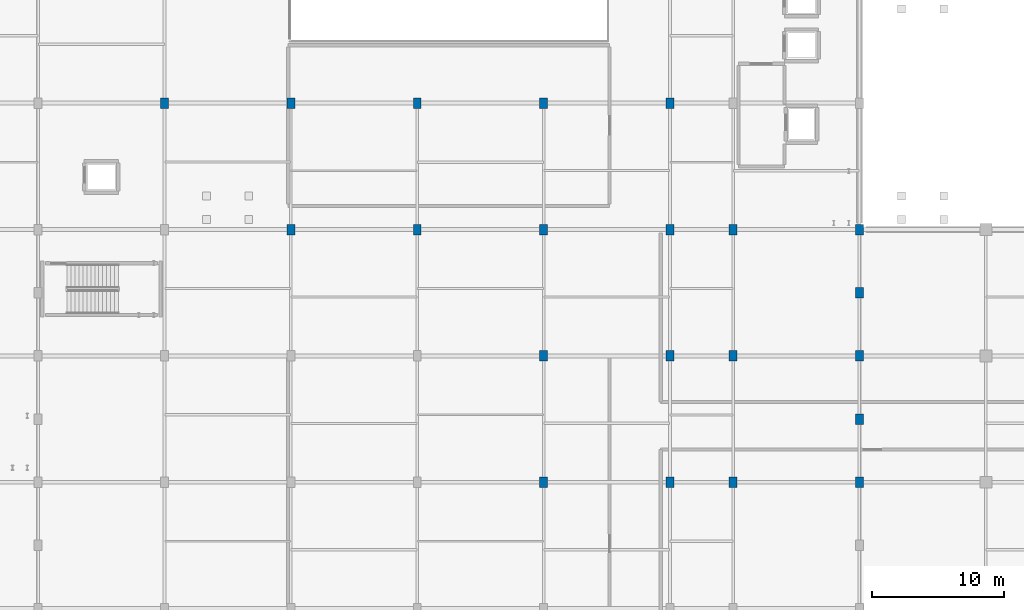
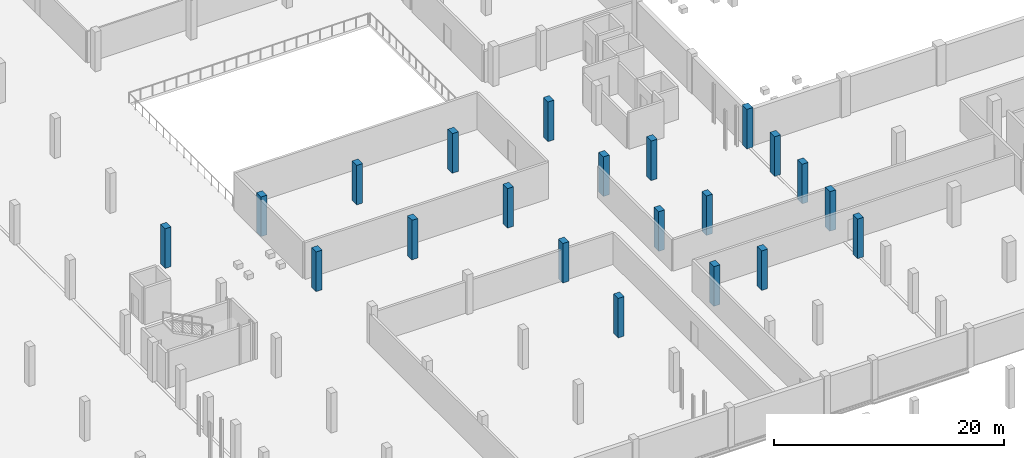
# One storey, part 8 of 47: 21 columns.
"""IFC4 building model written with IfcOpenShell, lengths in metres."""

import ifcopenshell
import ifcopenshell.guid

model = None  # the IFC model being written
_history = None  # IfcOwnerHistory: only IFC2X3 demands one
_inside = {}  # id of a spatial element -> (the spatial element, [elements in it])
_under = {}  # id of a project, library or spatial element -> (it, [spatial elements below it])
_declared = {}  # id of a project -> (the project, [libraries it declares])
_typed = {}  # id of a type object -> (the type object, [elements of that type])
_made_of = {}  # id of a material, layer set ... -> (it, [elements and type objects made of it])


def new_model(schema):
    """Start an empty IFC model of exactly this schema.

    Asked for "IFC4X3", IfcOpenShell would pick the latest addendum, in which some entities
    have other attributes; the version numbers below select the first issue.
    IFC2X3 requires an IfcOwnerHistory on every rooted entity: one is made here for all.
    """
    global model, _history
    if schema == "IFC4X3":
        model = ifcopenshell.file(schema_version=(4, 3, 0, 0))
    else:
        model = ifcopenshell.file(schema=schema)
    _inside.clear()
    _under.clear()
    _declared.clear()
    _typed.clear()
    _made_of.clear()
    _history = None
    if model.schema == "IFC2X3":
        org = make("IfcOrganization", Name="unknown")
        user = make(
            "IfcPersonAndOrganization",
            ThePerson=make("IfcPerson", FamilyName="unknown"),
            TheOrganization=org,
        )
        app = make(
            "IfcApplication",
            ApplicationDeveloper=org,
            Version="unknown",
            ApplicationFullName="unknown",
            ApplicationIdentifier="unknown",
        )
        _history = make(
            "IfcOwnerHistory",
            OwningUser=user,
            OwningApplication=app,
            ChangeAction="ADDED",
            CreationDate=0,
        )
    return model


def make(cls, **values):
    """One entity of the class cls with the attributes given. An attribute that is None is left unset."""
    return model.create_entity(
        cls, **{name: value for name, value in values.items() if value is not None}
    )


def rooted(cls, **values):
    """An entity with a GlobalId (a new one), such as an element, a storey or a relation."""
    return make(cls, GlobalId=ifcopenshell.guid.new(), OwnerHistory=_history, **values)


def si_unit(unit_type, name, prefix=None):
    """IfcSIUnit, for example si_unit("LENGTHUNIT", "METRE", prefix="MILLI")."""
    return make("IfcSIUnit", UnitType=unit_type, Prefix=prefix, Name=name)


def assignment(units):
    """IfcUnitAssignment: the units of a project."""
    return None if units is None else make("IfcUnitAssignment", Units=units)


def point(xyz):
    """IfcCartesianPoint."""
    return None if xyz is None else make("IfcCartesianPoint", Coordinates=xyz)


def direction(xyz):
    """IfcDirection."""
    return None if xyz is None else make("IfcDirection", DirectionRatios=xyz)


def frame(location, z_axis=None, x_axis=None):
    """IfcAxis2Placement3D, a coordinate frame: its origin and axes. An axis left out is left unset."""
    return make(
        "IfcAxis2Placement3D",
        Location=point(location),
        Axis=direction(z_axis),
        RefDirection=direction(x_axis),
    )


def frame_2d(location, x_axis=None):
    """IfcAxis2Placement2D, a coordinate frame in the plane: its origin and x axis."""
    return make(
        "IfcAxis2Placement2D", Location=point(location), RefDirection=direction(x_axis)
    )


def origin():
    """The frame at (0, 0, 0) with its axes left unset."""
    return frame((0.0, 0.0, 0.0))


def origin_2d():
    """The frame at (0, 0) in the plane with its x axis left unset."""
    return frame_2d((0.0, 0.0))


def place(relative_to, where):
    """IfcLocalPlacement: puts the frame where relative to a parent placement (None: the world)."""
    return make(
        "IfcLocalPlacement", PlacementRelTo=relative_to, RelativePlacement=where
    )


def context(
    kind, dimensions, precision=None, world=None, true_north=None, identifier=None
):
    """IfcGeometricRepresentationContext, for example the 3D "Model" context."""
    return make(
        "IfcGeometricRepresentationContext",
        ContextIdentifier=identifier,
        ContextType=kind,
        CoordinateSpaceDimension=dimensions,
        Precision=precision,
        WorldCoordinateSystem=world,
        TrueNorth=true_north,
    )


def subcontext(parent, identifier, kind, view, scale=None):
    """IfcGeometricRepresentationSubContext, for example "Body" below "Model"."""
    return make(
        "IfcGeometricRepresentationSubContext",
        ContextIdentifier=identifier,
        ContextType=kind,
        ParentContext=parent,
        TargetScale=scale,
        TargetView=view,
    )


def project(units=None, contexts=None):
    """IfcProject with its units and contexts."""
    return rooted(
        "IfcProject",
        Name="project",
        RepresentationContexts=contexts,
        UnitsInContext=assignment(units),
    )


def spatial(cls, under=None, at=None, **own):
    """A site, building, storey or space (cls), placed at a placement, below another one or the project."""
    s = rooted(cls, ObjectPlacement=at, **own)
    if under is not None:
        _under.setdefault(under.id(), (under, []))[1].append(s)
    return s


def profile(cls, at=None, kind="AREA", **sizes):
    """A parametric profile (cls). Its sizes go by their IFC names, for example OverallWidth=200.0."""
    return make(cls, ProfileType=kind, Position=at, **sizes)


def rectangle(**sizes):
    """IfcRectangleProfileDef."""
    return profile("IfcRectangleProfileDef", **sizes)


def extrude(swept, where, along, depth):
    """IfcExtrudedAreaSolid: the profile swept, set in the frame where, extruded along a direction by depth."""
    return make(
        "IfcExtrudedAreaSolid",
        SweptArea=swept,
        Position=where,
        ExtrudedDirection=direction(along),
        Depth=depth,
    )


def shape(context_of_items, identifier, shape_type, items):
    """IfcShapeRepresentation: the items that make up one representation, for example the "Body"."""
    return make(
        "IfcShapeRepresentation",
        ContextOfItems=context_of_items,
        RepresentationIdentifier=identifier,
        RepresentationType=shape_type,
        Items=items,
    )


def material(Name=None, Category=None):
    """IfcMaterial."""
    return make("IfcMaterial", Name=Name, Category=Category)


def material_profile(
    of_material, cross_section, Name=None, Category=None, Priority=None
):
    """IfcMaterialProfile: a cross section and its material."""
    return make(
        "IfcMaterialProfile",
        Name=Name,
        Material=of_material,
        Profile=cross_section,
        Priority=Priority,
        Category=Category,
    )


def profile_set(profiles, Name=None, composite=None):
    """IfcMaterialProfileSet."""
    return make(
        "IfcMaterialProfileSet",
        Name=Name,
        MaterialProfiles=profiles,
        CompositeProfile=composite,
    )


def made_of(thing, what):
    """Note that an element or type object is made of a material, layer set ...; save() writes the relation."""
    if what is not None:
        _made_of.setdefault(what.id(), (what, []))[1].append(thing)
    return thing


def type_object(cls, material=None, **own):
    """A type object (cls), such as IfcWallType, which elements share."""
    return made_of(rooted(cls, **own), material)


def element(
    cls,
    number,
    at=None,
    inside=None,
    cuts=None,
    type_object=None,
    material=None,
    context=None,
    identifier="Body",
    shape_type=None,
    held_by="IfcProductDefinitionShape",
    body=None,
    shapes=None,
    **own,
):
    """One element of the class cls, such as IfcWall. Its Tag is "e" and its number.

    at: its placement. inside: the storey or other place that contains it. cuts: it is an
    opening in that element (IfcRelVoidsElement). A single representation is given by context,
    identifier, shape_type and body (its items); several are given by shapes. held_by: the class
    of the entity that holds the representations. save() writes the other relations.
    """
    e = rooted(cls, Tag="e%d" % number, ObjectPlacement=at, **own)
    if body is not None:
        shapes = [shape(context, identifier, shape_type, body)]
    if shapes is not None:
        e.Representation = make(held_by, Representations=shapes)
    if inside is not None:
        _inside.setdefault(inside.id(), (inside, []))[1].append(e)
    if cuts is not None:
        rooted(
            "IfcRelVoidsElement", RelatingBuildingElement=cuts, RelatedOpeningElement=e
        )
    if type_object is not None:
        _typed.setdefault(type_object.id(), (type_object, []))[1].append(e)
    return made_of(e, material)


def aggregate(whole, parts):
    """IfcRelAggregates: a whole, such as a stair, and the parts it consists of."""
    return rooted("IfcRelAggregates", RelatingObject=whole, RelatedObjects=parts)


def save(model, path):
    """Write the relations noted so far, then the file.

    IfcRelAggregates (storeys below a building ...), IfcRelContainedInSpatialStructure (elements
    in a storey), IfcRelDefinesByType, IfcRelAssociatesMaterial and IfcRelDeclares: one each for
    every whole, place, type object, material and project.
    """
    for whole, parts in _under.values():
        aggregate(whole, parts)
    for where, things in _inside.values():
        rooted(
            "IfcRelContainedInSpatialStructure",
            RelatedElements=things,
            RelatingStructure=where,
        )
    for kind, things in _typed.values():
        rooted("IfcRelDefinesByType", RelatedObjects=things, RelatingType=kind)
    for what, things in _made_of.values():
        rooted("IfcRelAssociatesMaterial", RelatedObjects=things, RelatingMaterial=what)
    for by, libraries in _declared.values():
        rooted("IfcRelDeclares", RelatingContext=by, RelatedDefinitions=libraries)
    model.write(path)


model = new_model("IFC4")

# Units and contexts
model_context = context("Model", 3, precision=1e-05, world=origin(), true_north=direction((0.0, 1.0)))
body_context = subcontext(model_context, "Body", "Model", "MODEL_VIEW")
ifc_project = project(units=[si_unit("LENGTHUNIT", "METRE"), si_unit("AREAUNIT", "SQUARE_METRE"), si_unit("VOLUMEUNIT", "CUBIC_METRE"), si_unit("PLANEANGLEUNIT", "RADIAN"), si_unit("MASSUNIT", "GRAM", prefix="KILO")], contexts=[model_context])

# Site, building, storey
site_placement = place(None, origin())
site = spatial("IfcSite", under=ifc_project, at=site_placement, CompositionType="ELEMENT")
building_placement = place(site_placement, origin())
building = spatial("IfcBuilding", under=site, at=building_placement, Name="Zevrakil Square Congress Hotel", CompositionType="ELEMENT")
storey_placement = place(building_placement, frame((0.0, 0.0, -4.199951171875)))
storey = spatial("IfcBuildingStorey", under=building, at=storey_placement, Name="B1", CompositionType="ELEMENT", Elevation=-4.199951171875)

# Columns
ifc_material = material(Name="Concrete C40/50", Category="concrete")
ifc_material_profile = material_profile(ifc_material, rectangle(XDim=0.60009765625, YDim=0.800048828125, at=origin_2d()), Name="RC 600x800")
ifc_profile_set = profile_set([ifc_material_profile], Name="Concrete C40/50")
column_type = type_object("IfcColumnType", Name="COL-RC600x800", PredefinedType="COLUMN", material=ifc_profile_set)
for number, where, z_axis, x_axis, name in (
    (1, (64.800048828125, 55.199951171875, 0.0), (0.0, 0.0, 1.0), (1.0, 0.0, 0.0), "B1 column C-105"),
    (2, (74.39990234375, 45.60009765625, 0.0), (0.0, 0.0, 1.0), (1.0, 0.0, 0.0), "B1 column C-118"),
    (3, (74.39990234375, 55.199951171875, 0.0), (0.0, 0.0, 1.0), (1.0, 0.0, 0.0), "B1 column C-119"),
    (4, (84.0, 45.60009765625, 0.0), (0.0, 0.0, 1.0), (1.0, 0.0, 0.0), "B1 column C-130"),
    (5, (84.0, 55.199951171875, 0.0), (0.0, 0.0, 1.0), (1.0, 0.0, 0.0), "B1 column C-131"),
    (6, (93.60009765625, 26.39990234375, 0.0), (0.0, 0.0, 1.0), (1.0, 0.0, 0.0), "B1 column C-140"),
    (7, (93.60009765625, 36.0, 0.0), (0.0, 0.0, 1.0), (1.0, 0.0, 0.0), "B1 column C-141"),
    (8, (93.60009765625, 45.60009765625, 0.0), (0.0, 0.0, 1.0), (1.0, 0.0, 0.0), "B1 column C-142"),
    (9, (93.60009765625, 55.199951171875, 0.0), (0.0, 0.0, 1.0), (1.0, 0.0, 0.0), "B1 column C-143"),
    (10, (103.199951171875, 26.39990234375, 0.0), (0.0, 0.0, 1.0), (1.0, 0.0, 0.0), "B1 column C-152"),
    (11, (103.199951171875, 36.0, 0.0), (0.0, 0.0, 1.0), (1.0, 0.0, 0.0), "B1 column C-153"),
    (12, (103.199951171875, 45.60009765625, 0.0), (0.0, 0.0, 1.0), (1.0, 0.0, 0.0), "B1 column C-154"),
    (13, (103.199951171875, 55.199951171875, 0.0), (0.0, 0.0, 1.0), (1.0, 0.0, 0.0), "B1 column C-155"),
    (14, (108.0, 26.39990234375, 0.0), (0.0, 0.0, 1.0), (1.0, 0.0, 0.0), "B1 column C-166"),
    (15, (108.0, 36.0, 0.0), (0.0, 0.0, 1.0), (1.0, 0.0, 0.0), "B1 column C-167"),
    (16, (108.0, 45.60009765625, 0.0), (0.0, 0.0, 1.0), (1.0, 0.0, 0.0), "B1 column C-168"),
    (17, (117.60009765625, 26.39990234375, 0.0), (0.0, 0.0, 1.0), (1.0, 0.0, 0.0), "B1 column C-182"),
    (18, (117.60009765625, 31.199951171875, 0.0), (0.0, 0.0, 1.0), (1.0, 0.0, 0.0), "B1 column C-183"),
    (19, (117.60009765625, 36.0, 0.0), (0.0, 0.0, 1.0), (1.0, 0.0, 0.0), "B1 column C-184"),
    (20, (117.60009765625, 40.800048828125, 0.0), (0.0, 0.0, 1.0), (1.0, 0.0, 0.0), "B1 column C-185"),
    (21, (117.60009765625, 45.60009765625, 0.0), (0.0, 0.0, 1.0), (1.0, 0.0, 0.0), "B1 column C-186"),
):
    element("IfcColumn", number, at=place(storey_placement, frame(where, z_axis=z_axis, x_axis=x_axis)), inside=storey, type_object=column_type, Name=name, PredefinedType="COLUMN", context=body_context, shape_type="SweptSolid", body=[
        extrude(rectangle(XDim=0.60009765625, YDim=0.800048828125, at=origin_2d()), origin(), (0.0, 0.0, 1.0), 4.199951171875),
    ])

save(model, "model.ifc")
